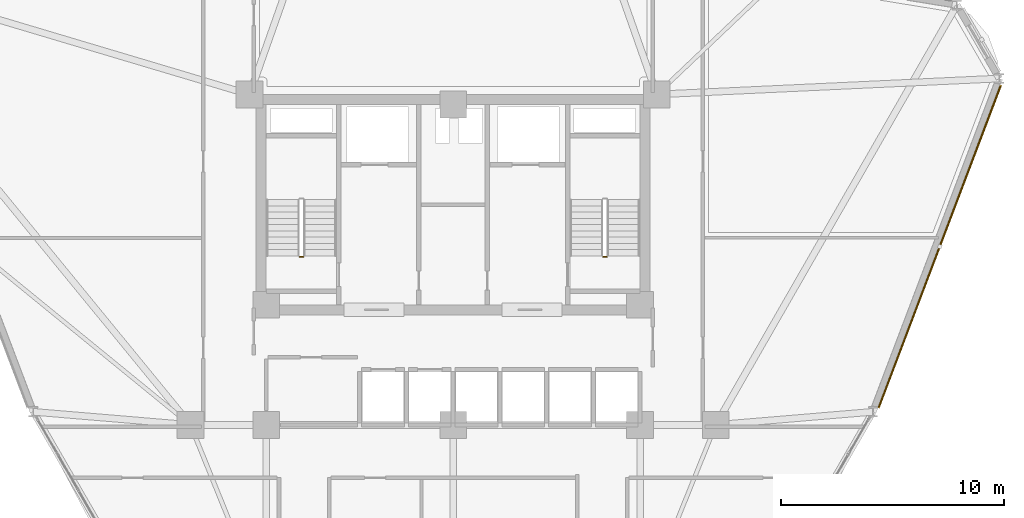
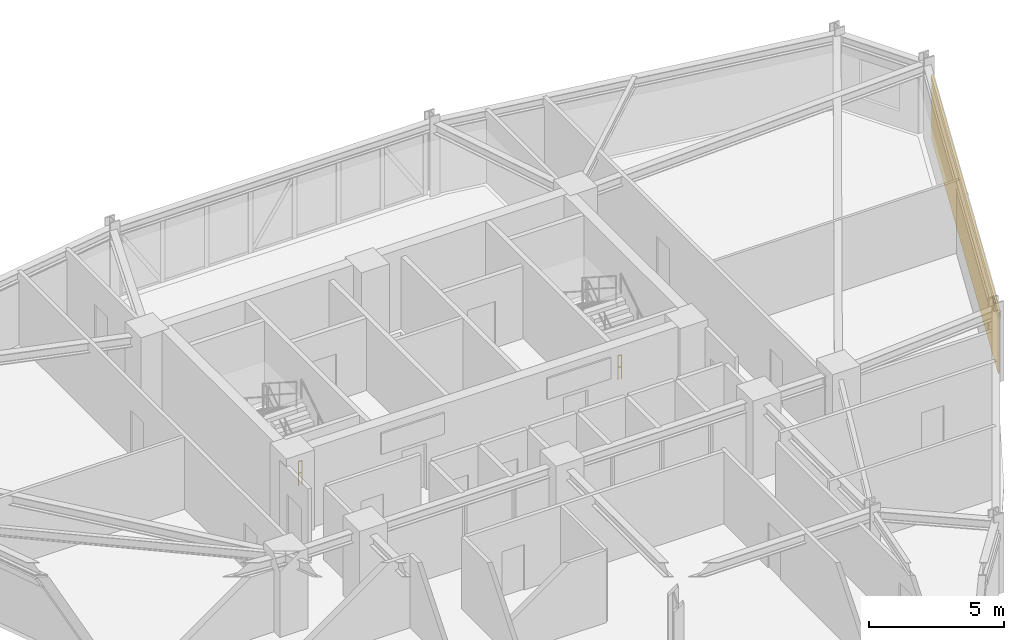
# One storey, part 15 of 17: 2 railings, 1 covering, 1 shading device.
"""IFC4 building model written with IfcOpenShell, lengths in metres."""

from ifc_helpers import new_model, si_unit, derived_unit, direction, frame, origin, origin_2d, place, context, subcontext, project, spatial, polyline, hollow_rectangle, circle, outline, extrude, source, transform, mapped, material, layer, layer_set, material_profile, profile_set, type_object, element, save


model = new_model("IFC4")

# Units and contexts
model_context = context("Model", 3, precision=1e-05, world=origin(), true_north=direction((0.0, 1.0)))
body_context = subcontext(model_context, "Body", "Model", "MODEL_VIEW")
ifc_project = project(units=[si_unit("LENGTHUNIT", "METRE"), si_unit("AREAUNIT", "SQUARE_METRE"), si_unit("VOLUMEUNIT", "CUBIC_METRE"), si_unit("PLANEANGLEUNIT", "RADIAN"), si_unit("MASSUNIT", "GRAM", prefix="KILO"), derived_unit("THERMALTRANSMITTANCEUNIT", [(si_unit("POWERUNIT", "WATT"), 1), (si_unit("LENGTHUNIT", "METRE"), -2), (si_unit("THERMODYNAMICTEMPERATUREUNIT", "KELVIN"), -1)])], contexts=[model_context])

# Site, building, storey
site_placement = place(None, origin())
site = spatial("IfcSite", under=ifc_project, at=site_placement, CompositionType="ELEMENT")
building_placement = place(site_placement, origin())
building = spatial("IfcBuilding", under=site, at=building_placement, Name="Korsvarv Bourse and Concert Hall", CompositionType="ELEMENT")
storey_placement = place(building_placement, frame((0.0, 0.0, 127.800048828125)))
storey = spatial("IfcBuildingStorey", under=building, at=storey_placement, Name="L32", CompositionType="ELEMENT", Elevation=127.800048828125)

# Covering
ifc_material_1 = material(Name="Warm iron-oxide extruded terracotta rainscreen tile", Category="ceramic")
ifc_layer = layer(ifc_material_1, 0.044921875)
ifc_layer_set = layer_set([ifc_layer], Name="Warm iron-oxide extruded terracotta rainscreen tile")
covering_type = type_object("IfcCoveringType", Name="COV-CLD-TC", PredefinedType="CLADDING", material=ifc_layer_set)
covering_placement = place(storey_placement, origin())
element("IfcCovering", 1, at=covering_placement, inside=storey, type_object=covering_type, Name="L32 fluted terracotta cladding panel EW-L32-B12", PredefinedType="CLADDING", context=body_context, shape_type="SweptSolid", body=[
    extrude(outline(polyline([(55.107177734375, 33.2509765625), (60.551513671875, 47.61083984375), (60.593505859375, 47.594970703125), (55.149169921875, 33.235107421875), (55.107177734375, 33.2509765625)])), origin(), (0.0, 0.0, 1.0), 2.5400390625),
])

# Railings
ifc_material_2 = material(Name="Painted Steel S355 stair well guardrail", Category="steel")
railing_type = type_object("IfcRailingType", Name="RL-ST-GRD", PredefinedType="GUARDRAIL", material=ifc_material_2)
for number, where, name in (
    (2, (29.260009765625, 39.949951171875, 0.0), "L32 ST-T1 stair guard 4"),
    (3, (42.89990234375, 39.949951171875, 0.0), "L32 ST-T2 stair guard 4"),
):
    element("IfcRailing", number, at=place(storey_placement, frame(where)), inside=storey, type_object=railing_type, Name=name, PredefinedType="GUARDRAIL", context=body_context, shape_type="SweptSolid", body=[
        extrude(circle(Radius=0.02392578125, at=origin_2d()), frame((0.0, 0.0, 1.076171875), z_axis=(-1.0, 0.0, 0.0), x_axis=(0.0, -1.0, 0.0)), (0.0, 0.0, 1.0), 0.159912109375),
        extrude(circle(Radius=0.02392578125, at=origin_2d()), frame((0.0, 0.0, 0.550048828125), z_axis=(-1.0, 0.0, 0.0), x_axis=(0.0, -1.0, 0.0)), (0.0, 0.0, 1.0), 0.159912109375),
        extrude(circle(Radius=0.02099609375, at=origin_2d()), origin(), (0.0, 0.0, 1.0), 1.052001953125),
        extrude(circle(Radius=0.02099609375, at=origin_2d()), frame((-0.159912109375, 0.0, 0.0)), (0.0, 0.0, 1.0), 1.052001953125),
    ])

# Shading device
ifc_material_3 = material(Name="Glazed extruded architectural terracotta", Category="ceramic")
ifc_material_profile = material_profile(ifc_material_3, hollow_rectangle(XDim=0.090087890625, YDim=0.260009765625, WallThickness=0.011962890625, at=origin_2d()), Name="TC-BAG 90x260")
ifc_profile_set = profile_set([ifc_material_profile], Name="Glazed extruded architectural terracotta")
shading_device_type = type_object("IfcShadingDeviceType", Name="SHD-BAG-1", PredefinedType="USERDEFINED", material=ifc_profile_set)
shared_shape = source(origin(), body_context, "Body", "SweptSolid", [
    extrude(hollow_rectangle(XDim=0.090087890625, YDim=0.260009765625, WallThickness=0.011962890625, at=origin_2d()), origin(), (0.0, 0.0, 1.0), 15.517333984375),
])
shading_device_placement = place(storey_placement, frame((55.1162109375, 33.162109375, 2.699951171875), z_axis=(0.354505776015, 0.935053824532, 0.0), x_axis=(-0.935053824532, 0.354505776015, 0.0)))
element("IfcShadingDevice", 4, at=shading_device_placement, inside=storey, type_object=shading_device_type, Name="L32 terracotta baguette sunshade EW-L32-B12", ObjectType="BAGUETTE", PredefinedType="USERDEFINED", context=body_context, shape_type="MappedRepresentation", body=[
    mapped(shared_shape, transform((0.0, 0.0, 0.0), scale=1.0)),
])

save(model, "model.ifc")
